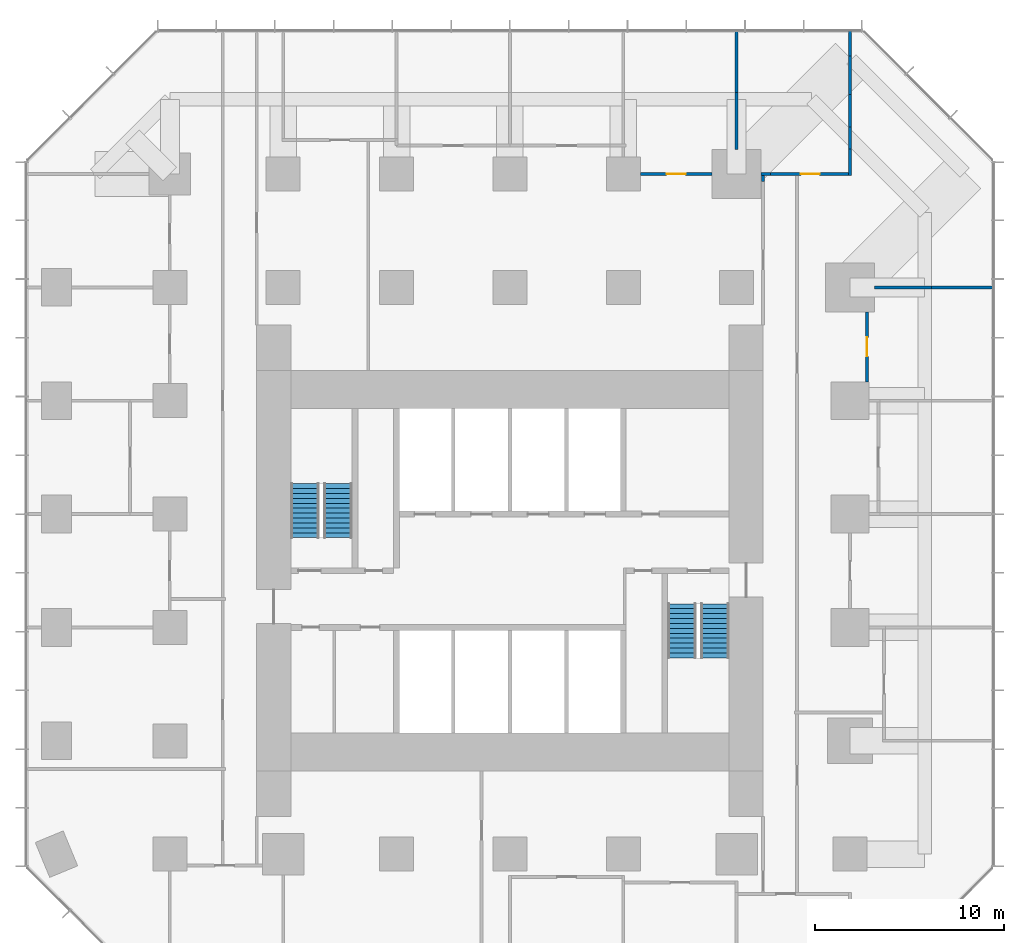
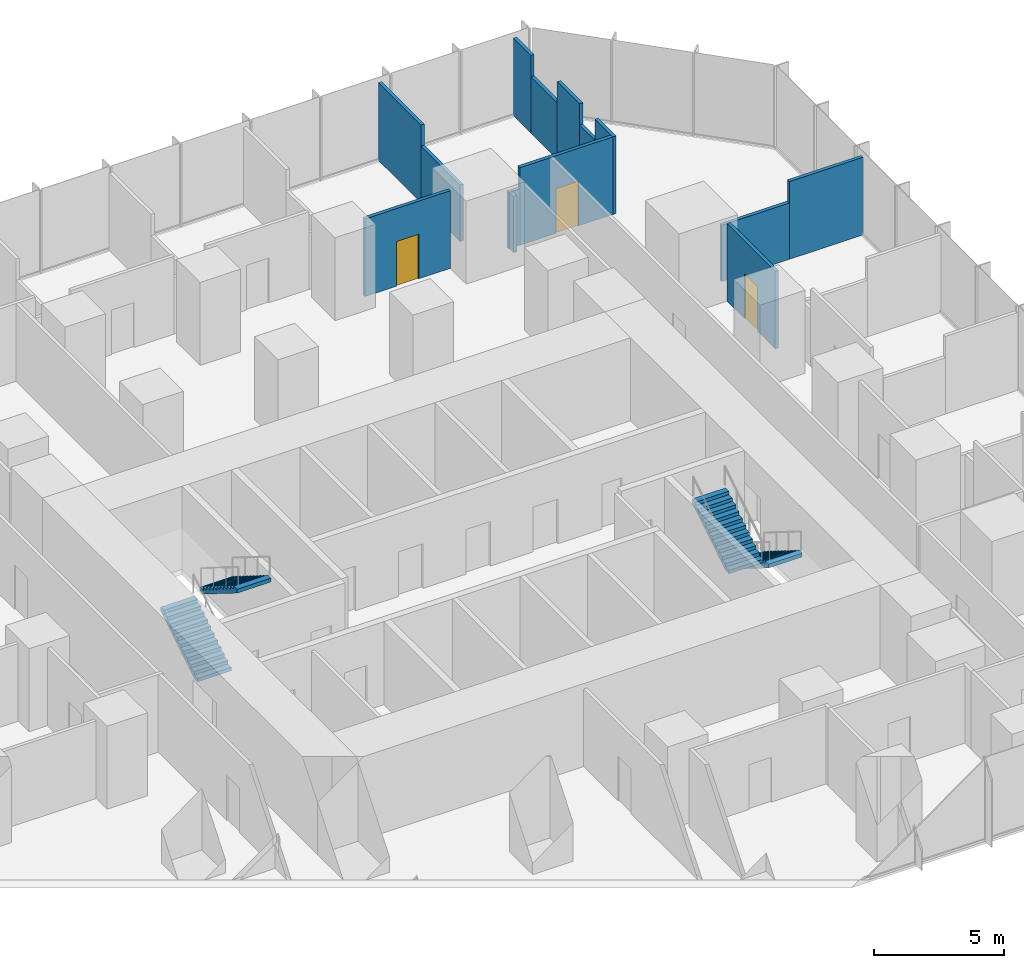
# One storey, part 11 of 12: 14 walls, 4 stair flights, 3 doors, 3 openings, 2 elements without a shape of their own.
"""IFC4 building model written with IfcOpenShell, lengths in metres."""

from ifc_helpers import new_model, si_unit, direction, frame, frame_2d, origin, place, context, subcontext, project, spatial, polyline, rectangle, outline, extrude, material, layer, layer_set, type_object, element, fill, aggregate, save


model = new_model("IFC4")

# Units and contexts
model_context = context("Model", 3, precision=1e-05, world=origin(), true_north=direction((0.0, 1.0)))
body_context = subcontext(model_context, "Body", "Model", "MODEL_VIEW")
ifc_project = project(units=[si_unit("LENGTHUNIT", "METRE"), si_unit("AREAUNIT", "SQUARE_METRE"), si_unit("VOLUMEUNIT", "CUBIC_METRE"), si_unit("PLANEANGLEUNIT", "RADIAN"), si_unit("MASSUNIT", "GRAM", prefix="KILO")], contexts=[model_context])

# Site, building, storey
site_placement = place(None, origin())
site = spatial("IfcSite", under=ifc_project, at=site_placement, CompositionType="ELEMENT")
building_placement = place(site_placement, origin())
building = spatial("IfcBuilding", under=site, at=building_placement, Name="Highveld Stack Headquarters", CompositionType="ELEMENT")
storey_placement = place(building_placement, frame((0.0, 0.0, 76.699951171875)))
storey = spatial("IfcBuildingStorey", under=building, at=storey_placement, Name="L18", CompositionType="ELEMENT", Elevation=76.699951171875)

# Wall, opening, door
ifc_material_1 = material(Name="Laminated glass in aluminium frame", Category="aluminium")
ifc_layer_1 = layer(ifc_material_1, 0.14990234375)
ifc_layer_set_1 = layer_set([ifc_layer_1], Name="Laminated glass in aluminium frame")
wall_type_1 = type_object("IfcWallType", Name="GLAZED PARTITION 150", PredefinedType="PARTITIONING", material=ifc_layer_set_1)
wall_1_placement = place(storey_placement, frame((12.89990234375, 24.0, 0.0), z_axis=(0.0, 0.0, 1.0), x_axis=(1.0, 0.0, 0.0)))
wall_1 = element("IfcWall", 1, at=wall_1_placement, inside=storey, type_object=wall_type_1, Name="Glazed partition Meeting room L18", PredefinedType="PARTITIONING", context=body_context, shape_type="SweptSolid", body=[
    extrude(rectangle(XDim=3.800048828125, YDim=0.14990234375, at=frame_2d((1.89990234375, 0.0))), origin(), (0.0, 0.0, 1.0), 3.650146484375),
])
opening_1_placement = place(wall_1_placement, frame((1.39990234375, 0.0, 0.0)))
opening_1 = element("IfcOpeningElement", 2, at=opening_1_placement, cuts=wall_1, Name="Opening L18-25", PredefinedType="OPENING", context=body_context, shape_type="SweptSolid", body=[
    extrude(rectangle(XDim=1.0, YDim=2.10009765625, at=frame_2d((0.5, 1.050048828125))), frame((0.0, 0.0849609375, 0.0), z_axis=(0.0, -1.0, 0.0), x_axis=(1.0, 0.0, 0.0)), (0.0, 0.0, 1.0), 0.169921875),
])
ifc_material_2 = material(Name="Timber door, oiled ash", Category="wood")
door_type = type_object("IfcDoorType", Name="ROOM DOOR D6 1000x2100", OperationType="SINGLE_SWING_LEFT", PredefinedType="DOOR", material=ifc_material_2)
door_1_placement = place(opening_1_placement, origin())
door_1 = element("IfcDoor", 3, at=door_1_placement, inside=storey, type_object=door_type, Name="Meeting room door 1 L18", OperationType="SINGLE_SWING_RIGHT", OverallHeight=2.10009765625, OverallWidth=1.0, PredefinedType="DOOR", context=body_context, shape_type="SweptSolid", body=[
    extrude(rectangle(XDim=1.0, YDim=2.10009765625, at=frame_2d((0.5, 1.050048828125))), frame((0.0, 0.02490234375, 0.0), z_axis=(0.0, -1.0, 0.0), x_axis=(1.0, 0.0, 0.0)), (0.0, 0.0, 1.0), 0.050048828125),
])
fill(opening_1, door_1)

# Walls
ifc_material_3 = material(Name="Gypsum plasterboard on steel studs", Category="steel")
ifc_layer_2 = layer(ifc_material_3, 0.14990234375)
ifc_layer_set_2 = layer_set([ifc_layer_2], Name="Gypsum plasterboard on steel studs")
wall_type_2 = type_object("IfcWallType", Name="PARTITION 150 PLASTERBOARD", PredefinedType="PARTITIONING", material=ifc_layer_set_2)
wall_2_placement = place(storey_placement, frame((25.300048828125, 18.0, 0.0), z_axis=(0.0, 0.0, 1.0), x_axis=(1.0, 0.0, 0.0)))
element("IfcWall", 4, at=wall_2_placement, inside=storey, type_object=wall_type_2, Name="Partition Interview room L18", PredefinedType="PARTITIONING", context=body_context, shape_type="SweptSolid", body=[
    extrude(rectangle(XDim=3.010009765625, YDim=0.14990234375, at=frame_2d((1.5048828125, 0.0))), origin(), (0.0, 0.0, 1.0), 2.650146484375),
])
wall_3_placement = place(storey_placement, frame((28.31005859375, 18.0, 0.0), z_axis=(0.0, 0.0, 1.0), x_axis=(1.0, 0.0, 0.0)))
element("IfcWall", 5, at=wall_3_placement, inside=storey, type_object=wall_type_2, Name="Partition Interview room L18", PredefinedType="PARTITIONING", context=body_context, shape_type="SweptSolid", body=[
    extrude(rectangle(XDim=3.2900390625, YDim=0.14990234375, at=frame_2d((1.64501953125, 0.0))), origin(), (0.0, 0.0, 1.0), 3.650146484375),
])
wall_4_placement = place(storey_placement, frame((19.300048828125, 24.0, 0.0), z_axis=(0.0, 0.0, 1.0), x_axis=(1.0, 0.0, 0.0)))
element("IfcWall", 6, at=wall_4_placement, inside=storey, type_object=wall_type_2, Name="Partition Office L18", PredefinedType="PARTITIONING", context=body_context, shape_type="SweptSolid", body=[
    extrude(rectangle(XDim=0.491943359375, YDim=0.14990234375, at=frame_2d((0.24609375, 0.0))), origin(), (0.0, 0.0, 1.0), 2.650146484375),
])

# Wall, opening, door
wall_5_placement = place(storey_placement, frame((19.7919921875, 24.0, 0.0), z_axis=(0.0, 0.0, 1.0), x_axis=(1.0, 0.0, 0.0)))
wall_5 = element("IfcWall", 7, at=wall_5_placement, inside=storey, type_object=wall_type_2, Name="Partition Office L18", PredefinedType="PARTITIONING", context=body_context, shape_type="SweptSolid", body=[
    extrude(rectangle(XDim=4.133056640625, YDim=0.14990234375, at=frame_2d((2.06640625, 0.0))), origin(), (0.0, 0.0, 1.0), 3.650146484375),
])
opening_2_placement = place(wall_5_placement, frame((1.60400390625, 0.0, 0.0)))
opening_2 = element("IfcOpeningElement", 8, at=opening_2_placement, cuts=wall_5, Name="Opening L18-26", PredefinedType="OPENING", context=body_context, shape_type="SweptSolid", body=[
    extrude(rectangle(XDim=1.0, YDim=2.10009765625, at=frame_2d((0.5, 1.050048828125))), frame((0.0, 0.0849609375, 0.0), z_axis=(0.0, -1.0, 0.0), x_axis=(1.0, 0.0, 0.0)), (0.0, 0.0, 1.0), 0.169921875),
])
door_2_placement = place(opening_2_placement, origin())
door_2 = element("IfcDoor", 9, at=door_2_placement, inside=storey, type_object=door_type, Name="Office door 1 L18", OperationType="SINGLE_SWING_RIGHT", OverallHeight=2.10009765625, OverallWidth=1.0, PredefinedType="DOOR", context=body_context, shape_type="SweptSolid", body=[
    extrude(rectangle(XDim=1.0, YDim=2.10009765625, at=frame_2d((0.5, 1.050048828125))), frame((0.0, 0.02490234375, 0.0), z_axis=(0.0, -1.0, 0.0), x_axis=(1.0, 0.0, 0.0)), (0.0, 0.0, 1.0), 0.050048828125),
])
fill(opening_2, door_2)

# Walls
wall_6_placement = place(storey_placement, frame((18.0, 25.300048828125, 0.0), z_axis=(0.0, 0.0, 1.0), x_axis=(0.0, 1.0, 0.0)))
element("IfcWall", 10, at=wall_6_placement, inside=storey, type_object=wall_type_2, Name="Partition Meeting room / Office L18", PredefinedType="PARTITIONING", context=body_context, shape_type="SweptSolid", body=[
    extrude(rectangle(XDim=3.010009765625, YDim=0.14990234375, at=frame_2d((1.5048828125, 0.0))), origin(), (0.0, 0.0, 1.0), 2.650146484375),
])
wall_7_placement = place(storey_placement, frame((18.0, 28.31005859375, 0.0), z_axis=(0.0, 0.0, 1.0), x_axis=(0.0, 1.0, 0.0)))
element("IfcWall", 11, at=wall_7_placement, inside=storey, type_object=wall_type_2, Name="Partition Meeting room / Office L18", PredefinedType="PARTITIONING", context=body_context, shape_type="SweptSolid", body=[
    extrude(rectangle(XDim=3.2900390625, YDim=0.14990234375, at=frame_2d((1.64501953125, 0.0))), origin(), (0.0, 0.0, 1.0), 3.650146484375),
])
wall_8_placement = place(storey_placement, frame((24.0, 23.925048828125, 0.0), z_axis=(0.0, 0.0, 1.0), x_axis=(0.0, 1.0, 0.0)))
element("IfcWall", 12, at=wall_8_placement, inside=storey, type_object=wall_type_2, Name="Partition Office L18", PredefinedType="PARTITIONING", context=body_context, shape_type="SweptSolid", body=[
    extrude(rectangle(XDim=1.385009765625, YDim=0.14990234375, at=frame_2d((0.6923828125, 0.0))), origin(), (0.0, 0.0, 1.0), 3.650146484375),
])
wall_9_placement = place(storey_placement, frame((24.0, 25.31005859375, 0.0), z_axis=(0.0, 0.0, 1.0), x_axis=(0.0, 1.0, 0.0)))
element("IfcWall", 13, at=wall_9_placement, inside=storey, type_object=wall_type_2, Name="Partition Office L18", PredefinedType="PARTITIONING", context=body_context, shape_type="SweptSolid", body=[
    extrude(rectangle(XDim=1.179931640625, YDim=0.14990234375, at=frame_2d((0.58984375, 0.0))), origin(), (0.0, 0.0, 1.0), 2.650146484375),
])
wall_10_placement = place(storey_placement, frame((24.0, 26.489990234375, 0.0), z_axis=(0.0, 0.0, 1.0), x_axis=(0.0, 1.0, 0.0)))
element("IfcWall", 14, at=wall_10_placement, inside=storey, type_object=wall_type_2, Name="Partition Office L18", PredefinedType="PARTITIONING", context=body_context, shape_type="SweptSolid", body=[
    extrude(rectangle(XDim=1.718017578125, YDim=0.14990234375, at=frame_2d((0.85888671875, 0.0))), origin(), (0.0, 0.0, 1.0), 3.650146484375),
])
wall_11_placement = place(storey_placement, frame((24.0, 28.2080078125, 0.0), z_axis=(0.0, 0.0, 1.0), x_axis=(0.0, 1.0, 0.0)))
element("IfcWall", 15, at=wall_11_placement, inside=storey, type_object=wall_type_2, Name="Partition Office L18", PredefinedType="PARTITIONING", context=body_context, shape_type="SweptSolid", body=[
    extrude(rectangle(XDim=2.029052734375, YDim=0.14990234375, at=frame_2d((1.0146484375, 0.0))), origin(), (0.0, 0.0, 1.0), 2.650146484375),
])
wall_12_placement = place(storey_placement, frame((24.0, 30.237060546875, 0.0), z_axis=(0.0, 0.0, 1.0), x_axis=(0.0, 1.0, 0.0)))
element("IfcWall", 16, at=wall_12_placement, inside=storey, type_object=wall_type_2, Name="Partition Office L18", PredefinedType="PARTITIONING", context=body_context, shape_type="SweptSolid", body=[
    extrude(rectangle(XDim=1.363037109375, YDim=0.14990234375, at=frame_2d((0.681640625, 0.0))), origin(), (0.0, 0.0, 1.0), 3.650146484375),
])

# Wall, opening, door
wall_13_placement = place(storey_placement, frame((24.89990234375, 13.0, 0.0), z_axis=(0.0, 0.0, 1.0), x_axis=(0.0, 1.0, 0.0)))
wall_13 = element("IfcWall", 17, at=wall_13_placement, inside=storey, type_object=wall_type_2, Name="Partition Interview room L18", PredefinedType="PARTITIONING", context=body_context, shape_type="SweptSolid", body=[
    extrude(rectangle(XDim=3.699951171875, YDim=0.14990234375, at=frame_2d((1.85009765625, 0.0))), origin(), (0.0, 0.0, 1.0), 3.650146484375),
])
opening_3_placement = place(wall_13_placement, frame((1.35009765625, 0.0, 0.0)))
opening_3 = element("IfcOpeningElement", 18, at=opening_3_placement, cuts=wall_13, Name="Opening L18-21", PredefinedType="OPENING", context=body_context, shape_type="SweptSolid", body=[
    extrude(rectangle(XDim=1.0, YDim=2.10009765625, at=frame_2d((0.5, 1.050048828125))), frame((0.0, 0.0849609375, 0.0), z_axis=(0.0, -1.0, 0.0), x_axis=(1.0, 0.0, 0.0)), (0.0, 0.0, 1.0), 0.169921875),
])
door_3_placement = place(opening_3_placement, origin())
door_3 = element("IfcDoor", 19, at=door_3_placement, inside=storey, type_object=door_type, Name="Interview room door 1 L18", OperationType="SINGLE_SWING_RIGHT", OverallHeight=2.10009765625, OverallWidth=1.0, PredefinedType="DOOR", context=body_context, shape_type="SweptSolid", body=[
    extrude(rectangle(XDim=1.0, YDim=2.10009765625, at=frame_2d((0.5, 1.050048828125))), frame((0.0, 0.02490234375, 0.0), z_axis=(0.0, -1.0, 0.0), x_axis=(1.0, 0.0, 0.0)), (0.0, 0.0, 1.0), 0.050048828125),
])
fill(opening_3, door_3)

# Wall
wall_14_placement = place(storey_placement, frame((19.39990234375, 23.60791015625, 0.0), z_axis=(0.0, 0.0, 1.0), x_axis=(0.0, 1.0, 0.0)))
element("IfcWall", 20, at=wall_14_placement, inside=storey, type_object=wall_type_2, Name="Partition office neighbourhood L18", PredefinedType="PARTITIONING", context=body_context, shape_type="SweptSolid", body=[
    extrude(rectangle(XDim=0.317138671875, YDim=0.14990234375, at=frame_2d((0.15869140625, 0.0))), origin(), (0.0, 0.0, 1.0), 2.650146484375),
])

# Stair, stair flights
ifc_material_4 = material(Name="Concrete C40/50, precast", Category="concrete")
stair_type_1 = type_object("IfcStairType", Name="STAIR S1 HALF TURN 1500", PredefinedType="HALF_TURN_STAIR", material=ifc_material_4)
stair_1_placement = place(storey_placement, origin())
stair_1 = element("IfcStair", 21, at=stair_1_placement, inside=storey, type_object=stair_type_1, Name="Stair S1 L18", PredefinedType="HALF_TURN_STAIR")
ifc_material_5 = material(Name="Concrete C40/50, precast", Category="concrete")
stair_flight_type = type_object("IfcStairFlightType", Name="STAIR FLIGHT 1500 PRECAST", PredefinedType="STRAIGHT", material=ifc_material_5)
stair_flight_1_placement = place(storey_placement, frame((-4.85009765625, 4.75, 0.0), z_axis=(0.0, 0.0, 1.0), x_axis=(0.0, 1.0, 0.0)))
stair_flight_1 = element("IfcStairFlight", 22, at=stair_flight_1_placement, type_object=stair_flight_type, Name="S1 flight 1", NumberOfRisers=12, NumberOfTreads=11, PredefinedType="STRAIGHT", RiserHeight=0.1625, TreadLength=0.26, context=body_context, shape_type="SweptSolid", body=[
    extrude(outline(polyline([(0.0, 0.0), (0.0, 0.16259765625), (0.260009765625, 0.16259765625), (0.260009765625, 0.324951171875), (0.52001953125, 0.324951171875), (0.52001953125, 0.487548828125), (0.780029296875, 0.487548828125), (0.780029296875, 0.64990234375), (1.0400390625, 0.64990234375), (1.0400390625, 0.8125), (1.300048828125, 0.8125), (1.300048828125, 0.97509765625), (1.56005859375, 0.97509765625), (1.56005859375, 1.137451171875), (1.820068359375, 1.137451171875), (1.820068359375, 1.300048828125), (2.080078125, 1.300048828125), (2.080078125, 1.46240234375), (2.340087890625, 1.46240234375), (2.340087890625, 1.625), (2.60009765625, 1.625), (2.60009765625, 1.78759765625), (2.860107421875, 1.78759765625), (2.860107421875, 1.949951171875), (2.860107421875, 1.61083984375), (0.28271484375, 0.0), (0.0, 0.0)])), frame((0.0, 0.75, 0.0), z_axis=(0.0, -1.0, 0.0), x_axis=(1.0, 0.0, 0.0)), (0.0, 0.0, 1.0), 1.5),
])
stair_flight_2_placement = place(storey_placement, frame((-3.10009765625, 7.610107421875, 1.949951171875), z_axis=(0.0, 0.0, 1.0), x_axis=(0.0, -1.0, 0.0)))
stair_flight_2 = element("IfcStairFlight", 23, at=stair_flight_2_placement, type_object=stair_flight_type, Name="S1 flight 2", NumberOfRisers=12, NumberOfTreads=11, PredefinedType="STRAIGHT", RiserHeight=0.1625, TreadLength=0.26, context=body_context, shape_type="SweptSolid", body=[
    extrude(outline(polyline([(0.0, 0.0), (0.0, 0.16259765625), (0.260009765625, 0.16259765625), (0.260009765625, 0.324951171875), (0.52001953125, 0.324951171875), (0.52001953125, 0.487548828125), (0.780029296875, 0.487548828125), (0.780029296875, 0.64990234375), (1.0400390625, 0.64990234375), (1.0400390625, 0.8125), (1.300048828125, 0.8125), (1.300048828125, 0.97509765625), (1.56005859375, 0.97509765625), (1.56005859375, 1.137451171875), (1.820068359375, 1.137451171875), (1.820068359375, 1.300048828125), (2.080078125, 1.300048828125), (2.080078125, 1.46240234375), (2.340087890625, 1.46240234375), (2.340087890625, 1.625), (2.60009765625, 1.625), (2.60009765625, 1.78759765625), (2.860107421875, 1.78759765625), (2.860107421875, 1.949951171875), (2.860107421875, 1.61083984375), (0.28271484375, 0.0), (0.0, 0.0)])), frame((0.0, 0.75, 0.0), z_axis=(0.0, -1.0, 0.0), x_axis=(1.0, 0.0, 0.0)), (0.0, 0.0, 1.0), 1.5),
])
aggregate(stair_1, [stair_flight_1, stair_flight_2])

ifc_material_6 = material(Name="Concrete C40/50, precast", Category="concrete")
stair_type_2 = type_object("IfcStairType", Name="STAIR S2 HALF TURN 1500", PredefinedType="HALF_TURN_STAIR", material=ifc_material_6)
stair_2_placement = place(storey_placement, origin())
stair_2 = element("IfcStair", 24, at=stair_2_placement, inside=storey, type_object=stair_type_2, Name="Stair S2 L18", PredefinedType="HALF_TURN_STAIR")
stair_flight_3_placement = place(storey_placement, frame((16.85009765625, 1.25, 0.0), z_axis=(0.0, 0.0, 1.0), x_axis=(0.0, -1.0, 0.0)))
stair_flight_3 = element("IfcStairFlight", 25, at=stair_flight_3_placement, type_object=stair_flight_type, Name="S2 flight 1", NumberOfRisers=12, NumberOfTreads=11, PredefinedType="STRAIGHT", RiserHeight=0.1625, TreadLength=0.26, context=body_context, shape_type="SweptSolid", body=[
    extrude(outline(polyline([(0.0, 0.0), (0.0, 0.16259765625), (0.260009765625, 0.16259765625), (0.260009765625, 0.324951171875), (0.52001953125, 0.324951171875), (0.52001953125, 0.487548828125), (0.780029296875, 0.487548828125), (0.780029296875, 0.64990234375), (1.0400390625, 0.64990234375), (1.0400390625, 0.8125), (1.300048828125, 0.8125), (1.300048828125, 0.97509765625), (1.56005859375, 0.97509765625), (1.56005859375, 1.137451171875), (1.820068359375, 1.137451171875), (1.820068359375, 1.300048828125), (2.080078125, 1.300048828125), (2.080078125, 1.46240234375), (2.340087890625, 1.46240234375), (2.340087890625, 1.625), (2.60009765625, 1.625), (2.60009765625, 1.78759765625), (2.860107421875, 1.78759765625), (2.860107421875, 1.949951171875), (2.860107421875, 1.61083984375), (0.28271484375, 0.0), (0.0, 0.0)])), frame((0.0, 0.75, 0.0), z_axis=(0.0, -1.0, 0.0), x_axis=(1.0, 0.0, 0.0)), (0.0, 0.0, 1.0), 1.5),
])
stair_flight_4_placement = place(storey_placement, frame((15.10009765625, -1.610107421875, 1.949951171875), z_axis=(0.0, 0.0, 1.0), x_axis=(0.0, 1.0, 0.0)))
stair_flight_4 = element("IfcStairFlight", 26, at=stair_flight_4_placement, type_object=stair_flight_type, Name="S2 flight 2", NumberOfRisers=12, NumberOfTreads=11, PredefinedType="STRAIGHT", RiserHeight=0.1625, TreadLength=0.26, context=body_context, shape_type="SweptSolid", body=[
    extrude(outline(polyline([(0.0, 0.0), (0.0, 0.16259765625), (0.260009765625, 0.16259765625), (0.260009765625, 0.324951171875), (0.52001953125, 0.324951171875), (0.52001953125, 0.487548828125), (0.780029296875, 0.487548828125), (0.780029296875, 0.64990234375), (1.0400390625, 0.64990234375), (1.0400390625, 0.8125), (1.300048828125, 0.8125), (1.300048828125, 0.97509765625), (1.56005859375, 0.97509765625), (1.56005859375, 1.137451171875), (1.820068359375, 1.137451171875), (1.820068359375, 1.300048828125), (2.080078125, 1.300048828125), (2.080078125, 1.46240234375), (2.340087890625, 1.46240234375), (2.340087890625, 1.625), (2.60009765625, 1.625), (2.60009765625, 1.78759765625), (2.860107421875, 1.78759765625), (2.860107421875, 1.949951171875), (2.860107421875, 1.61083984375), (0.28271484375, 0.0), (0.0, 0.0)])), frame((0.0, 0.75, 0.0), z_axis=(0.0, -1.0, 0.0), x_axis=(1.0, 0.0, 0.0)), (0.0, 0.0, 1.0), 1.5),
])
aggregate(stair_2, [stair_flight_3, stair_flight_4])

save(model, "model.ifc")
